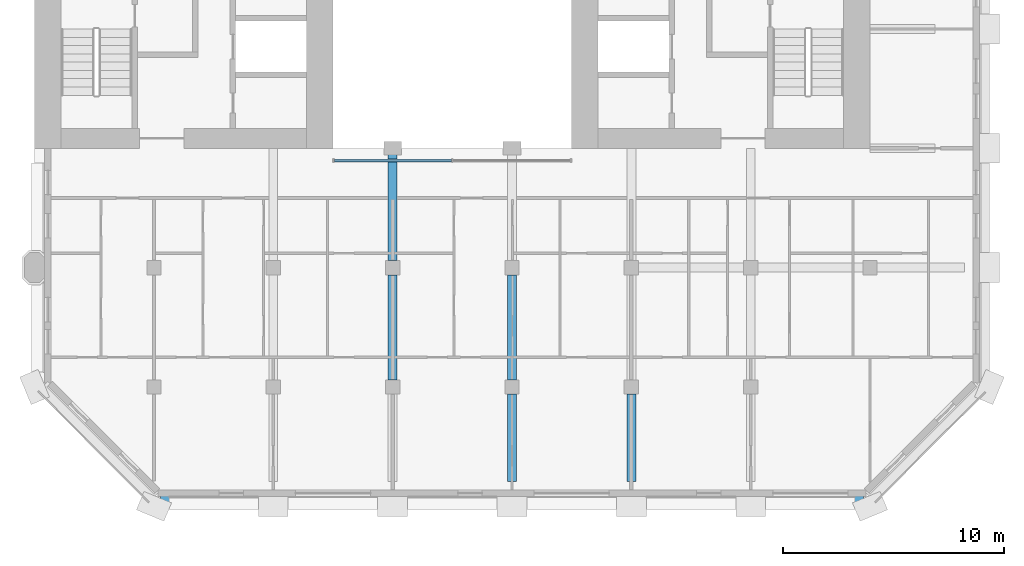
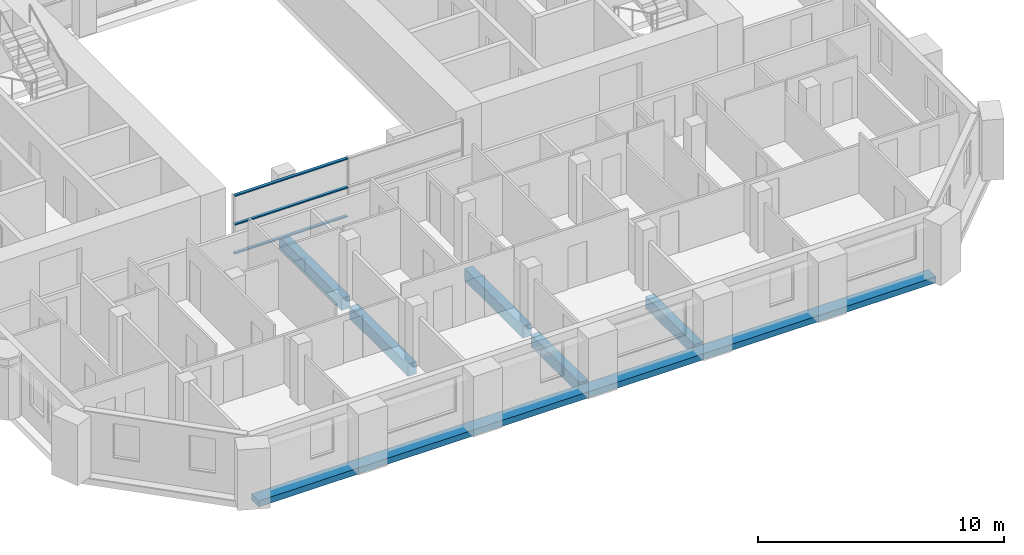
# One storey, part 3 of 16: 6 beams, 3 members, 1 element without a shape of its own.
"""IFC4 building model written with IfcOpenShell, lengths in metres."""

from ifc_helpers import new_model, si_unit, direction, frame, origin, origin_2d, place, context, subcontext, project, spatial, rectangle, extrude, material, material_profile, profile_set, type_object, element, aggregate, save


model = new_model("IFC4")

# Units and contexts
model_context = context("Model", 3, precision=1e-05, world=origin(), true_north=direction((0.0, 1.0)))
body_context = subcontext(model_context, "Body", "Model", "MODEL_VIEW")
ifc_project = project(units=[si_unit("LENGTHUNIT", "METRE"), si_unit("AREAUNIT", "SQUARE_METRE"), si_unit("VOLUMEUNIT", "CUBIC_METRE"), si_unit("PLANEANGLEUNIT", "RADIAN"), si_unit("MASSUNIT", "GRAM", prefix="KILO")], contexts=[model_context])

# Site, building, storey
site_placement = place(None, origin())
site = spatial("IfcSite", under=ifc_project, at=site_placement, CompositionType="ELEMENT")
building_placement = place(site_placement, origin())
building = spatial("IfcBuilding", under=site, at=building_placement, Name="Tabaq Tower and Sports Hall", CompositionType="ELEMENT")
storey_placement = place(building_placement, frame((0.0, 0.0, 268.60009765625)))
storey = spatial("IfcBuildingStorey", under=building, at=storey_placement, Name="L65", CompositionType="ELEMENT", Elevation=268.60009765625)

# Curtain wall, members
ifc_material_1 = material(Name="Aluminium alloy 6063-T6 framed glazing", Category="aluminium")
curtain_wall_type = type_object("IfcCurtainWallType", Name="CW1 curtain wall", PredefinedType="USERDEFINED", material=ifc_material_1)
curtain_wall_placement = place(storey_placement, origin())
curtain_wall = element("IfcCurtainWall", 1, at=curtain_wall_placement, inside=storey, type_object=curtain_wall_type, Name="Atrium glazing L65 S", ObjectType="ATRIUM ENCLOSURE", PredefinedType="USERDEFINED")
ifc_material_2 = material(Name="Aluminium alloy 6063-T6", Category="aluminium")
ifc_material_profile_1 = material_profile(ifc_material_2, rectangle(XDim=0.139892578125, YDim=0.06005859375, at=origin_2d()), Name="TRANSOM 140x60")
ifc_profile_set_1 = profile_set([ifc_material_profile_1], Name="Aluminium alloy 6063-T6")
member_type = type_object("IfcMemberType", Name="CW1 transom 140x60", PredefinedType="USERDEFINED", material=ifc_profile_set_1)
member_1_placement = place(storey_placement, frame((18.9599609375, 15.64990234375, 0.06982421875), z_axis=(1.0, 0.0, 0.0), x_axis=(0.0, 1.0, 0.0)))
member_1 = element("IfcMember", 2, at=member_1_placement, type_object=member_type, Name="CW1 transom 1.1", ObjectType="TRANSOM", PredefinedType="USERDEFINED", context=body_context, shape_type="SweptSolid", body=[
    extrude(rectangle(XDim=0.139892578125, YDim=0.06005859375, at=origin_2d()), origin(), (0.0, 0.0, 1.0), 5.31005859375),
])
member_2_placement = place(storey_placement, frame((18.9599609375, 15.64990234375, 1.5), z_axis=(1.0, 0.0, 0.0), x_axis=(0.0, 1.0, 0.0)))
member_2 = element("IfcMember", 3, at=member_2_placement, type_object=member_type, Name="CW1 transom 1.2", ObjectType="TRANSOM", PredefinedType="USERDEFINED", context=body_context, shape_type="SweptSolid", body=[
    extrude(rectangle(XDim=0.139892578125, YDim=0.06005859375, at=origin_2d()), origin(), (0.0, 0.0, 1.0), 5.31005859375),
])
member_3_placement = place(storey_placement, frame((18.9599609375, 15.64990234375, 2.929931640625), z_axis=(1.0, 0.0, 0.0), x_axis=(0.0, 1.0, 0.0)))
member_3 = element("IfcMember", 4, at=member_3_placement, type_object=member_type, Name="CW1 transom 1.3", ObjectType="TRANSOM", PredefinedType="USERDEFINED", context=body_context, shape_type="SweptSolid", body=[
    extrude(rectangle(XDim=0.139892578125, YDim=0.06005859375, at=origin_2d()), origin(), (0.0, 0.0, 1.0), 5.31005859375),
])
aggregate(curtain_wall, [member_1, member_2, member_3])

# Beams
ifc_material_3 = material(Name="Concrete C40/50", Category="concrete")
ifc_material_profile_2 = material_profile(ifc_material_3, rectangle(XDim=0.39990234375, YDim=0.60009765625, at=origin_2d()), Name="CB 400x600")
ifc_profile_set_2 = profile_set([ifc_material_profile_2], Name="Concrete C40/50")
beam_type_1 = type_object("IfcBeamType", Name="PT CANTILEVER BEAM CB 400x600 C40/50", PredefinedType="BEAM", material=ifc_profile_set_2)
beam_1_placement = place(storey_placement, frame((21.60009765625, 5.72509765625, -0.60009765625), z_axis=(0.0, 1.0, 0.0), x_axis=(-1.0, 0.0, 0.0)))
element("IfcBeam", 5, at=beam_1_placement, inside=storey, type_object=beam_type_1, Name="Cantilever Beam L65 S4 span 2", PredefinedType="BEAM", context=body_context, shape_type="SweptSolid", body=[
    extrude(rectangle(XDim=0.39990234375, YDim=0.60009765625, at=origin_2d()), origin(), (0.0, 0.0, 1.0), 4.75),
])
beam_2_placement = place(storey_placement, frame((21.60009765625, 11.125, -0.60009765625), z_axis=(0.0, 1.0, 0.0), x_axis=(-1.0, 0.0, 0.0)))
element("IfcBeam", 6, at=beam_2_placement, inside=storey, type_object=beam_type_1, Name="Cantilever Beam L65 S4 span 3", PredefinedType="BEAM", context=body_context, shape_type="SweptSolid", body=[
    extrude(rectangle(XDim=0.39990234375, YDim=0.60009765625, at=origin_2d()), origin(), (0.0, 0.0, 1.0), 5.074951171875),
])
beam_3_placement = place(storey_placement, frame((27.0, 1.125, -0.60009765625), z_axis=(0.0, 1.0, 0.0), x_axis=(-1.0, 0.0, 0.0)))
element("IfcBeam", 7, at=beam_3_placement, inside=storey, type_object=beam_type_1, Name="Cantilever Beam L65 S5 span 1", PredefinedType="BEAM", context=body_context, shape_type="SweptSolid", body=[
    extrude(rectangle(XDim=0.39990234375, YDim=0.60009765625, at=origin_2d()), origin(), (0.0, 0.0, 1.0), 3.949951171875),
])
beam_4_placement = place(storey_placement, frame((27.0, 5.72509765625, -0.60009765625), z_axis=(0.0, 1.0, 0.0), x_axis=(-1.0, 0.0, 0.0)))
element("IfcBeam", 8, at=beam_4_placement, inside=storey, type_object=beam_type_1, Name="Cantilever Beam L65 S5 span 2", PredefinedType="BEAM", context=body_context, shape_type="SweptSolid", body=[
    extrude(rectangle(XDim=0.39990234375, YDim=0.60009765625, at=origin_2d()), origin(), (0.0, 0.0, 1.0), 4.75),
])
beam_5_placement = place(storey_placement, frame((32.39990234375, 1.125, -0.60009765625), z_axis=(0.0, 1.0, 0.0), x_axis=(-1.0, 0.0, 0.0)))
element("IfcBeam", 9, at=beam_5_placement, inside=storey, type_object=beam_type_1, Name="Cantilever Beam L65 S6 span 1", PredefinedType="BEAM", context=body_context, shape_type="SweptSolid", body=[
    extrude(rectangle(XDim=0.39990234375, YDim=0.60009765625, at=origin_2d()), origin(), (0.0, 0.0, 1.0), 3.949951171875),
])
ifc_material_4 = material(Name="Concrete C40/50", Category="concrete")
ifc_material_profile_3 = material_profile(ifc_material_4, rectangle(XDim=0.60009765625, YDim=0.300048828125, at=origin_2d()), Name="EB 600x300")
ifc_profile_set_3 = profile_set([ifc_material_profile_3], Name="Concrete C40/50")
beam_type_2 = type_object("IfcBeamType", Name="PT EDGE BEAM EB 600x300 C40/50", PredefinedType="SPANDREL", material=ifc_profile_set_3)
beam_6_placement = place(storey_placement, frame((11.0986328125, 0.300048828125, -0.150146484375), z_axis=(1.0, 0.0, 0.0), x_axis=(0.0, 1.0, 0.0)))
element("IfcBeam", 10, at=beam_6_placement, inside=storey, type_object=beam_type_2, Name="Edge Beam L65 1", PredefinedType="SPANDREL", context=body_context, shape_type="SweptSolid", body=[
    extrude(rectangle(XDim=0.60009765625, YDim=0.300048828125, at=origin_2d()), origin(), (0.0, 0.0, 1.0), 31.802734375),
])

save(model, "model.ifc")
